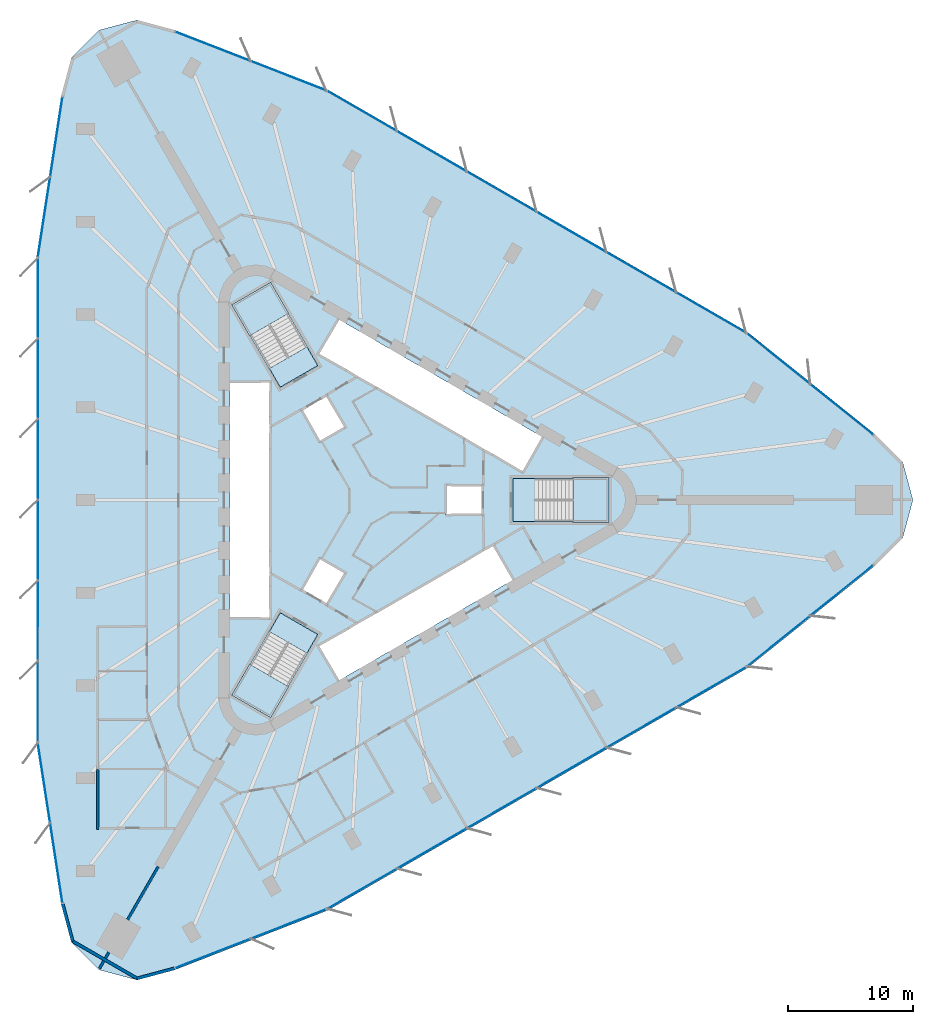
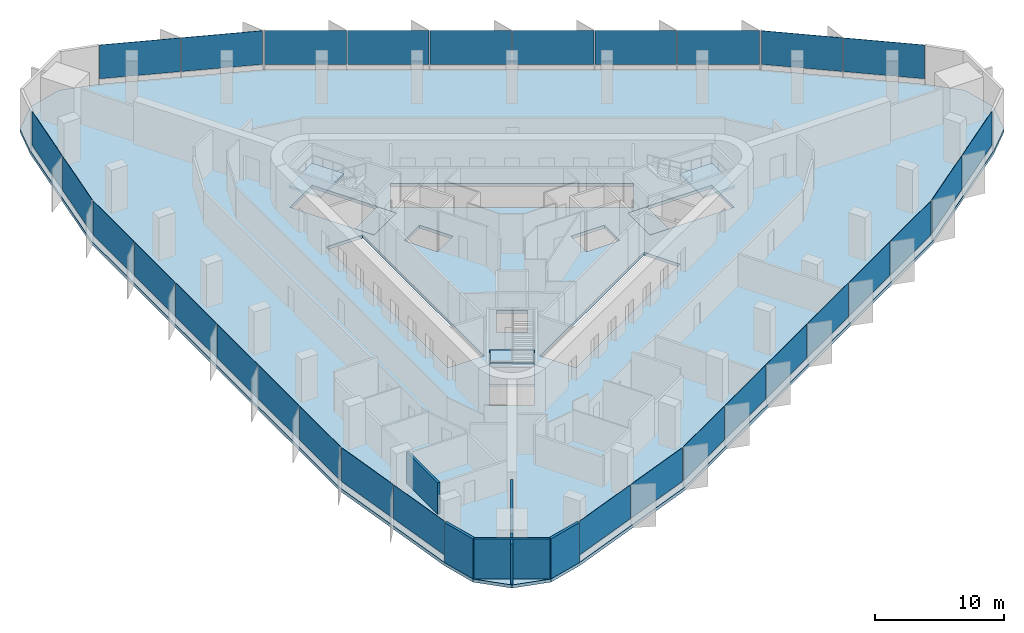
# One storey, part 8 of 15: 30 plates, 7 slabs, 7 walls, 12 elements without a shape of their own.
"""IFC4 building model written with IfcOpenShell, lengths in metres."""

from ifc_helpers import new_model, si_unit, direction, frame, frame_2d, origin, origin_2d, place, context, subcontext, project, spatial, polyline, rectangle, outline, extrude, material, layer, layer_set, type_object, element, aggregate, save


model = new_model("IFC4")

# Units and contexts
model_context = context("Model", 3, precision=1e-05, world=origin(), true_north=direction((0.0, 1.0)))
body_context = subcontext(model_context, "Body", "Model", "MODEL_VIEW")
ifc_project = project(units=[si_unit("LENGTHUNIT", "METRE"), si_unit("AREAUNIT", "SQUARE_METRE"), si_unit("VOLUMEUNIT", "CUBIC_METRE"), si_unit("PLANEANGLEUNIT", "RADIAN"), si_unit("MASSUNIT", "GRAM", prefix="KILO")], contexts=[model_context])

# Site, building, storey
site_placement = place(None, origin())
site = spatial("IfcSite", under=ifc_project, at=site_placement, CompositionType="ELEMENT")
building_placement = place(site_placement, origin())
building = spatial("IfcBuilding", under=site, at=building_placement, Name="Tanit Gate Tower", CompositionType="ELEMENT")
storey_placement = place(building_placement, frame((0.0, 0.0, 135.699951171875)))
storey = spatial("IfcBuildingStorey", under=building, at=storey_placement, Name="L29", CompositionType="ELEMENT", Elevation=135.699951171875)

# Slab
ifc_material_1 = material(Name="Concrete C35/45", Category="concrete")
ifc_layer_1 = layer(ifc_material_1, 0.300048828125)
ifc_layer_set_1 = layer_set([ifc_layer_1], Name="FLOOR SLAB 300 C35/45")
slab_type_1 = type_object("IfcSlabType", Name="FLOOR SLAB 300 C35/45", PredefinedType="FLOOR", material=ifc_layer_set_1)
slab_1_placement = place(storey_placement, frame((0.0, 0.0, -0.300048828125)))
element("IfcSlab", 1, at=slab_1_placement, inside=storey, type_object=slab_type_1, Name="FLOOR SLAB L29", PredefinedType="FLOOR", context=body_context, shape_type="SweptSolid", body=[
    extrude(outline(polyline([(40.200439453125, 5.24365234375), (42.41650390625, 3.02734375), (43.227783203125, 0.0), (42.41650390625, -3.02734375), (40.200439453125, -5.24365234375), (30.038818359375, -13.397216796875), (-3.418212890625, -32.710693359375), (-15.55908203125, -37.436279296875), (-18.58642578125, -38.24755859375), (-21.614013671875, -37.436279296875), (-23.830078125, -35.22021484375), (-24.641357421875, -32.192626953125), (-26.62158203125, -19.315673828125), (-26.619140625, 19.315673828125), (-24.641357421875, 32.192626953125), (-23.830078125, 35.22021484375), (-21.614013671875, 37.436279296875), (-18.58642578125, 38.24755859375), (-15.55908203125, 37.436279296875), (-3.4169921875, 32.712890625), (30.037353515625, 13.39501953125), (40.200439453125, 5.24365234375)]), holes=[polyline([(11.3701171875, 1.72998046875), (18.929931640625, 1.72998046875), (18.929931640625, -1.72998046875), (11.3701171875, -1.72998046875), (11.3701171875, 1.72998046875)]), polyline([(-4.208984375, 11.60986328125), (-2.583984375, 14.424560546875), (13.783935546875, 4.974609375), (12.158935546875, 2.159912109375), (-4.208984375, 11.60986328125)]), polyline([(-4.208984375, -11.60986328125), (9.82080078125, -3.510009765625), (11.44580078125, -6.324462890625), (-2.583984375, -14.424560546875), (-4.208984375, -11.60986328125)]), polyline([(9.0, 1.199951171875), (9.0, -1.199951171875), (6.0, -1.199951171875), (6.0, 1.199951171875), (9.0, 1.199951171875)]), polyline([(-5.539306640625, 7.194091796875), (-3.460693359375, 8.394287109375), (-1.960693359375, 5.796142578125), (-4.039306640625, 4.59619140625), (-5.539306640625, 7.194091796875)]), polyline([(-1.960693359375, -5.796142578125), (-3.460693359375, -8.394287109375), (-5.539306640625, -7.194091796875), (-4.039306640625, -4.59619140625), (-1.960693359375, -5.796142578125)]), polyline([(-10.963134765625, 15.52880859375), (-7.966796875, 17.2587890625), (-4.186767578125, 10.711669921875), (-7.18310546875, 8.981689453125), (-10.963134765625, 15.52880859375)]), polyline([(-4.186767578125, -10.711669921875), (-7.966796875, -17.2587890625), (-10.963134765625, -15.52880859375), (-7.18310546875, -8.981689453125), (-4.186767578125, -10.711669921875)]), polyline([(-11.199951171875, -9.449951171875), (-11.199951171875, 9.449951171875), (-7.949951171875, 9.449951171875), (-7.949951171875, -9.449951171875), (-11.199951171875, -9.449951171875)])]), origin(), (0.0, 0.0, 1.0), 0.300048828125),
])

# Curtain wall, plates
ifc_material_2 = material(Name="Aluminium bronze anodised and glass", Category="aluminium")
curtain_wall_type = type_object("IfcCurtainWallType", Name="Curtain wall typical low", PredefinedType="NOTDEFINED", material=ifc_material_2)
curtain_wall_1_placement = place(storey_placement, origin())
curtain_wall_1 = element("IfcCurtainWall", 2, at=curtain_wall_1_placement, inside=storey, type_object=curtain_wall_type, Name="Curtain wall L29 NE1", PredefinedType="NOTDEFINED")
ifc_material_3 = material(Name="Glass tinted", Category="glass")
ifc_layer_2 = layer(ifc_material_3, 0.031982421875)
ifc_layer_set_2 = layer_set([ifc_layer_2], Name="Glass panel 32 typical low")
plate_type = type_object("IfcPlateType", Name="Glass panel 32 typical low", PredefinedType="CURTAIN_PANEL", material=ifc_layer_set_2)
plate_1_placement = place(storey_placement, frame((37.56689453125, 7.201904296875, 0.60009765625), z_axis=(0.0, 0.0, 1.0), x_axis=(-0.780084936734, 0.625673630163, 0.0)))
plate_1 = element("IfcPlate", 3, at=plate_1_placement, type_object=plate_type, Name="Glass panel L29 NE1.1", PredefinedType="CURTAIN_PANEL", context=body_context, shape_type="SweptSolid", body=[
    extrude(rectangle(XDim=6.38623046875, YDim=0.031982421875, at=origin_2d()), origin(), (0.0, 0.0, 1.0), 3.199951171875),
])
plate_2_placement = place(storey_placement, frame((32.522705078125, 11.247802734375, 0.60009765625), z_axis=(0.0, 0.0, 1.0), x_axis=(-0.780084936734, 0.625673630163, 0.0)))
plate_2 = element("IfcPlate", 4, at=plate_2_placement, type_object=plate_type, Name="Glass panel L29 NE1.2", PredefinedType="CURTAIN_PANEL", context=body_context, shape_type="SweptSolid", body=[
    extrude(rectangle(XDim=6.38623046875, YDim=0.031982421875, at=origin_2d()), origin(), (0.0, 0.0, 1.0), 3.199951171875),
])
aggregate(curtain_wall_1, [plate_1, plate_2])

curtain_wall_2_placement = place(storey_placement, origin())
curtain_wall_2 = element("IfcCurtainWall", 5, at=curtain_wall_2_placement, inside=storey, type_object=curtain_wall_type, Name="Curtain wall L29 NE2", PredefinedType="NOTDEFINED")
plate_3_placement = place(storey_placement, frame((27.154052734375, 14.92138671875, 0.60009765625), z_axis=(0.0, 0.0, 1.0), x_axis=(-0.865990732317, 0.500060047936, 0.0)))
plate_3 = element("IfcPlate", 6, at=plate_3_placement, type_object=plate_type, Name="Glass panel L29 NE2.1", PredefinedType="CURTAIN_PANEL", context=body_context, shape_type="SweptSolid", body=[
    extrude(rectangle(XDim=6.34228515625, YDim=0.031982421875, at=origin_2d()), origin(), (0.0, 0.0, 1.0), 3.199951171875),
])
plate_4_placement = place(storey_placement, frame((21.592529296875, 18.1328125, 0.60009765625), z_axis=(0.0, 0.0, 1.0), x_axis=(-0.865990732317, 0.500060047936, 0.0)))
plate_4 = element("IfcPlate", 7, at=plate_4_placement, type_object=plate_type, Name="Glass panel L29 NE2.2", PredefinedType="CURTAIN_PANEL", context=body_context, shape_type="SweptSolid", body=[
    extrude(rectangle(XDim=6.342041015625, YDim=0.031982421875, at=origin_2d()), origin(), (0.0, 0.0, 1.0), 3.199951171875),
])
plate_5_placement = place(storey_placement, frame((16.031005859375, 21.34423828125, 0.60009765625), z_axis=(0.0, 0.0, 1.0), x_axis=(-0.865990732317, 0.500060047936, 0.0)))
plate_5 = element("IfcPlate", 8, at=plate_5_placement, type_object=plate_type, Name="Glass panel L29 NE2.3", PredefinedType="CURTAIN_PANEL", context=body_context, shape_type="SweptSolid", body=[
    extrude(rectangle(XDim=6.34228515625, YDim=0.031982421875, at=origin_2d()), origin(), (0.0, 0.0, 1.0), 3.199951171875),
])
plate_6_placement = place(storey_placement, frame((10.469482421875, 24.5556640625, 0.60009765625), z_axis=(0.0, 0.0, 1.0), x_axis=(-0.865990732317, 0.500060047936, 0.0)))
plate_6 = element("IfcPlate", 9, at=plate_6_placement, type_object=plate_type, Name="Glass panel L29 NE2.4", PredefinedType="CURTAIN_PANEL", context=body_context, shape_type="SweptSolid", body=[
    extrude(rectangle(XDim=6.342041015625, YDim=0.031982421875, at=origin_2d()), origin(), (0.0, 0.0, 1.0), 3.199951171875),
])
plate_7_placement = place(storey_placement, frame((4.907958984375, 27.76708984375, 0.60009765625), z_axis=(0.0, 0.0, 1.0), x_axis=(-0.865990732317, 0.500060047936, 0.0)))
plate_7 = element("IfcPlate", 10, at=plate_7_placement, type_object=plate_type, Name="Glass panel L29 NE2.5", PredefinedType="CURTAIN_PANEL", context=body_context, shape_type="SweptSolid", body=[
    extrude(rectangle(XDim=6.34228515625, YDim=0.031982421875, at=origin_2d()), origin(), (0.0, 0.0, 1.0), 3.199951171875),
])
plate_8_placement = place(storey_placement, frame((-0.653564453125, 30.978759765625, 0.60009765625), z_axis=(0.0, 0.0, 1.0), x_axis=(-0.865990732317, 0.500060047936, 0.0)))
plate_8 = element("IfcPlate", 11, at=plate_8_placement, type_object=plate_type, Name="Glass panel L29 NE2.6", PredefinedType="CURTAIN_PANEL", context=body_context, shape_type="SweptSolid", body=[
    extrude(rectangle(XDim=6.34228515625, YDim=0.031982421875, at=origin_2d()), origin(), (0.0, 0.0, 1.0), 3.199951171875),
])
aggregate(curtain_wall_2, [plate_3, plate_4, plate_5, plate_6, plate_7, plate_8])

curtain_wall_3_placement = place(storey_placement, origin())
curtain_wall_3 = element("IfcCurtainWall", 12, at=curtain_wall_3_placement, inside=storey, type_object=curtain_wall_type, Name="Curtain wall L29 NE3", PredefinedType="NOTDEFINED")
plate_9_placement = place(storey_placement, frame((-6.51953125, 33.791015625, 0.60009765625), z_axis=(0.0, 0.0, 1.0), x_axis=(-0.931965421252, 0.362547174298, 0.0)))
plate_9 = element("IfcPlate", 13, at=plate_9_placement, type_object=plate_type, Name="Glass panel L29 NE3.1", PredefinedType="CURTAIN_PANEL", context=body_context, shape_type="SweptSolid", body=[
    extrude(rectangle(XDim=6.386474609375, YDim=0.031982421875, at=origin_2d()), origin(), (0.0, 0.0, 1.0), 3.199951171875),
])
plate_10_placement = place(storey_placement, frame((-12.5458984375, 36.135498046875, 0.60009765625), z_axis=(0.0, 0.0, 1.0), x_axis=(-0.931965421252, 0.362547174298, 0.0)))
plate_10 = element("IfcPlate", 14, at=plate_10_placement, type_object=plate_type, Name="Glass panel L29 NE3.2", PredefinedType="CURTAIN_PANEL", context=body_context, shape_type="SweptSolid", body=[
    extrude(rectangle(XDim=6.386474609375, YDim=0.031982421875, at=origin_2d()), origin(), (0.0, 0.0, 1.0), 3.199951171875),
])
aggregate(curtain_wall_3, [plate_9, plate_10])

curtain_wall_4_placement = place(storey_placement, origin())
curtain_wall_4 = element("IfcCurtainWall", 15, at=curtain_wall_4_placement, inside=storey, type_object=curtain_wall_type, Name="Curtain wall L29 W1", PredefinedType="NOTDEFINED")
plate_11_placement = place(storey_placement, frame((-25.0205078125, 28.932861328125, 0.60009765625), z_axis=(0.0, 0.0, 1.0), x_axis=(-0.151806789832, -0.988410187402, 0.0)))
plate_11 = element("IfcPlate", 16, at=plate_11_placement, type_object=plate_type, Name="Glass panel L29 W1.1", PredefinedType="CURTAIN_PANEL", context=body_context, shape_type="SweptSolid", body=[
    extrude(rectangle(XDim=6.38623046875, YDim=0.031982421875, at=origin_2d()), origin(), (0.0, 0.0, 1.0), 3.199951171875),
])
plate_12_placement = place(storey_placement, frame((-26.002197265625, 22.54150390625, 0.60009765625), z_axis=(0.0, 0.0, 1.0), x_axis=(-0.151806789832, -0.988410187402, 0.0)))
plate_12 = element("IfcPlate", 17, at=plate_12_placement, type_object=plate_type, Name="Glass panel L29 W1.2", PredefinedType="CURTAIN_PANEL", context=body_context, shape_type="SweptSolid", body=[
    extrude(rectangle(XDim=6.38623046875, YDim=0.031982421875, at=origin_2d()), origin(), (0.0, 0.0, 1.0), 3.199951171875),
])
aggregate(curtain_wall_4, [plate_11, plate_12])

curtain_wall_5_placement = place(storey_placement, origin())
curtain_wall_5 = element("IfcCurtainWall", 18, at=curtain_wall_5_placement, inside=storey, type_object=curtain_wall_type, Name="Curtain wall L29 W2", PredefinedType="NOTDEFINED")
plate_13_placement = place(storey_placement, frame((-26.499267578125, 16.055419921875, 0.60009765625), z_axis=(0.0, 0.0, 1.0), x_axis=(-6.9338772e-05, -0.999999997596, 0.0)))
plate_13 = element("IfcPlate", 19, at=plate_13_placement, type_object=plate_type, Name="Glass panel L29 W2.1", PredefinedType="CURTAIN_PANEL", context=body_context, shape_type="SweptSolid", body=[
    extrude(rectangle(XDim=6.34228515625, YDim=0.031982421875, at=origin_2d()), origin(), (0.0, 0.0, 1.0), 3.199951171875),
])
plate_14_placement = place(storey_placement, frame((-26.499755859375, 9.63330078125, 0.60009765625), z_axis=(0.0, 0.0, 1.0), x_axis=(-6.9338772e-05, -0.999999997596, 0.0)))
plate_14 = element("IfcPlate", 20, at=plate_14_placement, type_object=plate_type, Name="Glass panel L29 W2.2", PredefinedType="CURTAIN_PANEL", context=body_context, shape_type="SweptSolid", body=[
    extrude(rectangle(XDim=6.342041015625, YDim=0.031982421875, at=origin_2d()), origin(), (0.0, 0.0, 1.0), 3.199951171875),
])
plate_15_placement = place(storey_placement, frame((-26.500244140625, 3.211181640625, 0.60009765625), z_axis=(0.0, 0.0, 1.0), x_axis=(-6.9338772e-05, -0.999999997596, 0.0)))
plate_15 = element("IfcPlate", 21, at=plate_15_placement, type_object=plate_type, Name="Glass panel L29 W2.3", PredefinedType="CURTAIN_PANEL", context=body_context, shape_type="SweptSolid", body=[
    extrude(rectangle(XDim=6.34228515625, YDim=0.031982421875, at=origin_2d()), origin(), (0.0, 0.0, 1.0), 3.199951171875),
])
plate_16_placement = place(storey_placement, frame((-26.500732421875, -3.211181640625, 0.60009765625), z_axis=(0.0, 0.0, 1.0), x_axis=(-6.9338772e-05, -0.999999997596, 0.0)))
plate_16 = element("IfcPlate", 22, at=plate_16_placement, type_object=plate_type, Name="Glass panel L29 W2.4", PredefinedType="CURTAIN_PANEL", context=body_context, shape_type="SweptSolid", body=[
    extrude(rectangle(XDim=6.342041015625, YDim=0.031982421875, at=origin_2d()), origin(), (0.0, 0.0, 1.0), 3.199951171875),
])
plate_17_placement = place(storey_placement, frame((-26.5009765625, -9.63330078125, 0.60009765625), z_axis=(0.0, 0.0, 1.0), x_axis=(-6.9338772e-05, -0.999999997596, 0.0)))
plate_17 = element("IfcPlate", 23, at=plate_17_placement, type_object=plate_type, Name="Glass panel L29 W2.5", PredefinedType="CURTAIN_PANEL", context=body_context, shape_type="SweptSolid", body=[
    extrude(rectangle(XDim=6.34228515625, YDim=0.031982421875, at=origin_2d()), origin(), (0.0, 0.0, 1.0), 3.199951171875),
])
plate_18_placement = place(storey_placement, frame((-26.50146484375, -16.055419921875, 0.60009765625), z_axis=(0.0, 0.0, 1.0), x_axis=(-6.9338772e-05, -0.999999997596, 0.0)))
plate_18 = element("IfcPlate", 24, at=plate_18_placement, type_object=plate_type, Name="Glass panel L29 W2.6", PredefinedType="CURTAIN_PANEL", context=body_context, shape_type="SweptSolid", body=[
    extrude(rectangle(XDim=6.34228515625, YDim=0.031982421875, at=origin_2d()), origin(), (0.0, 0.0, 1.0), 3.199951171875),
])
aggregate(curtain_wall_5, [plate_13, plate_14, plate_15, plate_16, plate_17, plate_18])

curtain_wall_6_placement = place(storey_placement, origin())
curtain_wall_6 = element("IfcCurtainWall", 25, at=curtain_wall_6_placement, inside=storey, type_object=curtain_wall_type, Name="Curtain wall L29 W3", PredefinedType="NOTDEFINED")
plate_19_placement = place(storey_placement, frame((-26.004150390625, -22.541748046875, 0.60009765625), z_axis=(0.0, 0.0, 1.0), x_axis=(0.152007647614, -0.988379317401, 0.0)))
plate_19 = element("IfcPlate", 26, at=plate_19_placement, type_object=plate_type, Name="Glass panel L29 W3.1", PredefinedType="CURTAIN_PANEL", context=body_context, shape_type="SweptSolid", body=[
    extrude(rectangle(XDim=6.386474609375, YDim=0.031982421875, at=origin_2d()), origin(), (0.0, 0.0, 1.0), 3.199951171875),
])
plate_20_placement = place(storey_placement, frame((-25.021240234375, -28.932861328125, 0.60009765625), z_axis=(0.0, 0.0, 1.0), x_axis=(0.152007647614, -0.988379317401, 0.0)))
plate_20 = element("IfcPlate", 27, at=plate_20_placement, type_object=plate_type, Name="Glass panel L29 W3.2", PredefinedType="CURTAIN_PANEL", context=body_context, shape_type="SweptSolid", body=[
    extrude(rectangle(XDim=6.386474609375, YDim=0.031982421875, at=origin_2d()), origin(), (0.0, 0.0, 1.0), 3.199951171875),
])
aggregate(curtain_wall_6, [plate_19, plate_20])

curtain_wall_7_placement = place(storey_placement, origin())
curtain_wall_7 = element("IfcCurtainWall", 28, at=curtain_wall_7_placement, inside=storey, type_object=curtain_wall_type, Name="Curtain wall L29 SE1", PredefinedType="NOTDEFINED")
plate_21_placement = place(storey_placement, frame((-12.54638671875, -36.135009765625, 0.60009765625), z_axis=(0.0, 0.0, 1.0), x_axis=(0.931891726566, 0.36273655724, 0.0)))
plate_21 = element("IfcPlate", 29, at=plate_21_placement, type_object=plate_type, Name="Glass panel L29 SE1.1", PredefinedType="CURTAIN_PANEL", context=body_context, shape_type="SweptSolid", body=[
    extrude(rectangle(XDim=6.38623046875, YDim=0.031982421875, at=origin_2d()), origin(), (0.0, 0.0, 1.0), 3.199951171875),
])
plate_22_placement = place(storey_placement, frame((-6.5205078125, -33.789306640625, 0.60009765625), z_axis=(0.0, 0.0, 1.0), x_axis=(0.931891726566, 0.36273655724, 0.0)))
plate_22 = element("IfcPlate", 30, at=plate_22_placement, type_object=plate_type, Name="Glass panel L29 SE1.2", PredefinedType="CURTAIN_PANEL", context=body_context, shape_type="SweptSolid", body=[
    extrude(rectangle(XDim=6.38623046875, YDim=0.031982421875, at=origin_2d()), origin(), (0.0, 0.0, 1.0), 3.199951171875),
])
aggregate(curtain_wall_7, [plate_21, plate_22])

curtain_wall_8_placement = place(storey_placement, origin())
curtain_wall_8 = element("IfcCurtainWall", 31, at=curtain_wall_8_placement, inside=storey, type_object=curtain_wall_type, Name="Curtain wall L29 SE2", PredefinedType="NOTDEFINED")
plate_23_placement = place(storey_placement, frame((-0.65478515625, -30.976806640625, 0.60009765625), z_axis=(0.0, 0.0, 1.0), x_axis=(0.866060071089, 0.49993994966, 0.0)))
plate_23 = element("IfcPlate", 32, at=plate_23_placement, type_object=plate_type, Name="Glass panel L29 SE2.1", PredefinedType="CURTAIN_PANEL", context=body_context, shape_type="SweptSolid", body=[
    extrude(rectangle(XDim=6.34228515625, YDim=0.031982421875, at=origin_2d()), origin(), (0.0, 0.0, 1.0), 3.199951171875),
])
plate_24_placement = place(storey_placement, frame((4.9072265625, -27.76611328125, 0.60009765625), z_axis=(0.0, 0.0, 1.0), x_axis=(0.866060071089, 0.49993994966, 0.0)))
plate_24 = element("IfcPlate", 33, at=plate_24_placement, type_object=plate_type, Name="Glass panel L29 SE2.2", PredefinedType="CURTAIN_PANEL", context=body_context, shape_type="SweptSolid", body=[
    extrude(rectangle(XDim=6.342041015625, YDim=0.031982421875, at=origin_2d()), origin(), (0.0, 0.0, 1.0), 3.199951171875),
])
plate_25_placement = place(storey_placement, frame((10.46923828125, -24.555419921875, 0.60009765625), z_axis=(0.0, 0.0, 1.0), x_axis=(0.866060071089, 0.49993994966, 0.0)))
plate_25 = element("IfcPlate", 34, at=plate_25_placement, type_object=plate_type, Name="Glass panel L29 SE2.3", PredefinedType="CURTAIN_PANEL", context=body_context, shape_type="SweptSolid", body=[
    extrude(rectangle(XDim=6.34228515625, YDim=0.031982421875, at=origin_2d()), origin(), (0.0, 0.0, 1.0), 3.199951171875),
])
plate_26_placement = place(storey_placement, frame((16.03125, -21.3447265625, 0.60009765625), z_axis=(0.0, 0.0, 1.0), x_axis=(0.866060071089, 0.49993994966, 0.0)))
plate_26 = element("IfcPlate", 35, at=plate_26_placement, type_object=plate_type, Name="Glass panel L29 SE2.4", PredefinedType="CURTAIN_PANEL", context=body_context, shape_type="SweptSolid", body=[
    extrude(rectangle(XDim=6.342041015625, YDim=0.031982421875, at=origin_2d()), origin(), (0.0, 0.0, 1.0), 3.199951171875),
])
plate_27_placement = place(storey_placement, frame((21.59326171875, -18.134033203125, 0.60009765625), z_axis=(0.0, 0.0, 1.0), x_axis=(0.866060071089, 0.49993994966, 0.0)))
plate_27 = element("IfcPlate", 36, at=plate_27_placement, type_object=plate_type, Name="Glass panel L29 SE2.5", PredefinedType="CURTAIN_PANEL", context=body_context, shape_type="SweptSolid", body=[
    extrude(rectangle(XDim=6.34228515625, YDim=0.031982421875, at=origin_2d()), origin(), (0.0, 0.0, 1.0), 3.199951171875),
])
plate_28_placement = place(storey_placement, frame((27.1552734375, -14.92333984375, 0.60009765625), z_axis=(0.0, 0.0, 1.0), x_axis=(0.866060071089, 0.49993994966, 0.0)))
plate_28 = element("IfcPlate", 37, at=plate_28_placement, type_object=plate_type, Name="Glass panel L29 SE2.6", PredefinedType="CURTAIN_PANEL", context=body_context, shape_type="SweptSolid", body=[
    extrude(rectangle(XDim=6.34228515625, YDim=0.031982421875, at=origin_2d()), origin(), (0.0, 0.0, 1.0), 3.199951171875),
])
aggregate(curtain_wall_8, [plate_23, plate_24, plate_25, plate_26, plate_27, plate_28])

curtain_wall_9_placement = place(storey_placement, origin())
curtain_wall_9 = element("IfcCurtainWall", 38, at=curtain_wall_9_placement, inside=storey, type_object=curtain_wall_type, Name="Curtain wall L29 SE3", PredefinedType="NOTDEFINED")
plate_29_placement = place(storey_placement, frame((32.523681640625, -11.24951171875, 0.60009765625), z_axis=(0.0, 0.0, 1.0), x_axis=(0.779957773638, 0.625832143104, 0.0)))
plate_29 = element("IfcPlate", 39, at=plate_29_placement, type_object=plate_type, Name="Glass panel L29 SE3.1", PredefinedType="CURTAIN_PANEL", context=body_context, shape_type="SweptSolid", body=[
    extrude(rectangle(XDim=6.386474609375, YDim=0.031982421875, at=origin_2d()), origin(), (0.0, 0.0, 1.0), 3.199951171875),
])
plate_30_placement = place(storey_placement, frame((37.567138671875, -7.20263671875, 0.60009765625), z_axis=(0.0, 0.0, 1.0), x_axis=(0.779957773638, 0.625832143104, 0.0)))
plate_30 = element("IfcPlate", 40, at=plate_30_placement, type_object=plate_type, Name="Glass panel L29 SE3.2", PredefinedType="CURTAIN_PANEL", context=body_context, shape_type="SweptSolid", body=[
    extrude(rectangle(XDim=6.386474609375, YDim=0.031982421875, at=origin_2d()), origin(), (0.0, 0.0, 1.0), 3.199951171875),
])
aggregate(curtain_wall_9, [plate_29, plate_30])

# Stair, slab
ifc_material_4 = material(Name="Concrete C40/50", Category="concrete")
stair_type = type_object("IfcStairType", Name="INT-STAIR-EXIT", PredefinedType="HALF_TURN_STAIR", material=ifc_material_4)
stair_1_placement = place(storey_placement, origin())
stair_1 = element("IfcStair", 41, at=stair_1_placement, inside=storey, type_object=stair_type, Name="L29 STAIR S1", PredefinedType="HALF_TURN_STAIR")
ifc_material_5 = material(Name="Concrete C40/50", Category="concrete")
ifc_layer_3 = layer(ifc_material_5, 0.199951171875)
ifc_layer_set_3 = layer_set([ifc_layer_3], Name="INT-STAIR-LANDING")
slab_type_2 = type_object("IfcSlabType", Name="INT-STAIR-LANDING", PredefinedType="LANDING", material=ifc_layer_set_3)
slab_2_placement = place(storey_placement, frame((0.0, 0.0, 1.85009765625)))
slab_2 = element("IfcSlab", 42, at=slab_2_placement, type_object=slab_type_2, Name="S1 landing 1", PredefinedType="LANDING", context=body_context, shape_type="SweptSolid", body=[
    extrude(outline(polyline([(16.135986328125, -1.800048828125), (19.0, -1.800048828125), (19.0, 1.800048828125), (16.135986328125, 1.800048828125), (16.135986328125, -1.800048828125)])), origin(), (0.0, 0.0, 1.0), 0.199951171875),
])
aggregate(stair_1, [slab_2])

# Slab
slab_3_placement = place(storey_placement, frame((0.0, 0.0, -0.199951171875)))
element("IfcSlab", 43, at=slab_3_placement, inside=storey, type_object=slab_type_2, Name="S1 floor landing", PredefinedType="LANDING", context=body_context, shape_type="SweptSolid", body=[
    extrude(outline(polyline([(11.3798828125, -1.719970703125), (13.10498046875, -1.719970703125), (13.10498046875, 1.719970703125), (11.3798828125, 1.719970703125), (11.3798828125, -1.719970703125)])), origin(), (0.0, 0.0, 1.0), 0.199951171875),
])

# Stair, slab
stair_2_placement = place(storey_placement, origin())
stair_2 = element("IfcStair", 44, at=stair_2_placement, inside=storey, type_object=stair_type, Name="L29 STAIR S2", PredefinedType="HALF_TURN_STAIR")
slab_4_placement = place(storey_placement, frame((0.0, 0.0, 1.85009765625)))
slab_4 = element("IfcSlab", 45, at=slab_4_placement, type_object=slab_type_2, Name="S2 landing 1", PredefinedType="LANDING", context=body_context, shape_type="SweptSolid", body=[
    extrude(outline(polyline([(-6.5078125, 14.871826171875), (-7.941162109375, 17.3544921875), (-11.058837890625, 15.554443359375), (-9.62548828125, 13.07177734375), (-6.5078125, 14.871826171875)])), origin(), (0.0, 0.0, 1.0), 0.199951171875),
])
aggregate(stair_2, [slab_4])

# Slab
slab_5_placement = place(storey_placement, frame((0.0, 0.0, -0.199951171875)))
element("IfcSlab", 46, at=slab_5_placement, inside=storey, type_object=slab_type_2, Name="S2 floor landing", PredefinedType="LANDING", context=body_context, shape_type="SweptSolid", body=[
    extrude(outline(polyline([(-4.200439453125, 10.71533203125), (-5.0625, 12.20849609375), (-8.04150390625, 10.48828125), (-7.179443359375, 8.995361328125), (-4.200439453125, 10.71533203125)])), origin(), (0.0, 0.0, 1.0), 0.199951171875),
])

# Stair, slab
stair_3_placement = place(storey_placement, origin())
stair_3 = element("IfcStair", 47, at=stair_3_placement, inside=storey, type_object=stair_type, Name="L29 STAIR S3", PredefinedType="HALF_TURN_STAIR")
slab_6_placement = place(storey_placement, frame((0.0, 0.0, 1.85009765625)))
slab_6 = element("IfcSlab", 48, at=slab_6_placement, type_object=slab_type_2, Name="S3 landing 1", PredefinedType="LANDING", context=body_context, shape_type="SweptSolid", body=[
    extrude(outline(polyline([(-9.626953125, -13.07421875), (-11.058837890625, -15.554443359375), (-7.941162109375, -17.3544921875), (-6.509033203125, -14.874267578125), (-9.626953125, -13.07421875)])), origin(), (0.0, 0.0, 1.0), 0.199951171875),
])
aggregate(stair_3, [slab_6])

# Slab
slab_7_placement = place(storey_placement, frame((0.0, 0.0, -0.199951171875)))
element("IfcSlab", 49, at=slab_7_placement, inside=storey, type_object=slab_type_2, Name="S3 floor landing", PredefinedType="LANDING", context=body_context, shape_type="SweptSolid", body=[
    extrude(outline(polyline([(-7.179443359375, -8.995361328125), (-8.0419921875, -10.4892578125), (-5.06298828125, -12.209228515625), (-4.200439453125, -10.71533203125), (-7.179443359375, -8.995361328125)])), origin(), (0.0, 0.0, 1.0), 0.199951171875),
])

# Walls
ifc_material_6 = material(Name="Concrete C30/37 with bronze anodised aluminium cladding", Category="concrete")
ifc_layer_4 = layer(ifc_material_6, 0.239990234375)
ifc_layer_set_4 = layer_set([ifc_layer_4], Name="Facade wall bronze clad 240")
wall_type_1 = type_object("IfcWallType", Name="Facade wall bronze clad 240", PredefinedType="SOLIDWALL", material=ifc_layer_set_4)
wall_1_placement = place(storey_placement, frame((-24.523681640625, -32.16796875, 0.0), z_axis=(0.0, 0.0, 1.0), x_axis=(0.258850410475, -0.965917421417, 0.0)))
element("IfcWall", 50, at=wall_1_placement, inside=storey, type_object=wall_type_1, Name="Bronze-clad facade wall L29 SW.arc1", PredefinedType="SOLIDWALL", context=body_context, shape_type="SweptSolid", body=[
    extrude(rectangle(XDim=3.095458984375, YDim=0.239990234375, at=frame_2d((1.5478515625, 0.0))), origin(), (0.0, 0.0, 1.0), 3.800048828125),
])
wall_2_placement = place(storey_placement, frame((-23.722412109375, -35.157958984375, 0.0), z_axis=(0.0, 0.0, 1.0), x_axis=(0.866020370013, -0.500008718647, 0.0)))
element("IfcWall", 51, at=wall_2_placement, inside=storey, type_object=wall_type_1, Name="Bronze-clad facade wall L29 SW.arc2", PredefinedType="SOLIDWALL", context=body_context, shape_type="SweptSolid", body=[
    extrude(rectangle(XDim=5.9306640625, YDim=0.239990234375, at=frame_2d((2.96533203125, 0.0))), origin(), (0.0, 0.0, 1.0), 3.800048828125),
])
wall_3_placement = place(storey_placement, frame((-18.58642578125, -38.123291015625, 0.0), z_axis=(0.0, 0.0, 1.0), x_axis=(0.965937138664, 0.258776823055, 0.0)))
element("IfcWall", 52, at=wall_3_placement, inside=storey, type_object=wall_type_1, Name="Bronze-clad facade wall L29 SW.arc3", PredefinedType="SOLIDWALL", context=body_context, shape_type="SweptSolid", body=[
    extrude(rectangle(XDim=3.095458984375, YDim=0.239990234375, at=frame_2d((1.5478515625, 0.0))), origin(), (0.0, 0.0, 1.0), 3.800048828125),
])
ifc_material_7 = material(Name="Fire-rated gypsum board partition")
ifc_layer_5 = layer(ifc_material_7, 0.199951171875)
ifc_layer_set_5 = layer_set([ifc_layer_5], Name="INT-WALL-COMPARTMENT")
wall_type_2 = type_object("IfcWallType", Name="INT-WALL-COMPARTMENT", PredefinedType="PARTITIONING", material=ifc_layer_set_5)
wall_4_placement = place(storey_placement, frame((-21.57373046875, -37.306884765625, 0.0), z_axis=(0.0, 0.0, 1.0), x_axis=(0.499880961361, 0.866094119867, 0.0)))
element("IfcWall", 53, at=wall_4_placement, inside=storey, type_object=wall_type_2, Name="Wall Compartment W117", PredefinedType="PARTITIONING", context=body_context, shape_type="SweptSolid", body=[
    extrude(rectangle(XDim=0.666748046875, YDim=0.199951171875, at=frame_2d((0.33349609375, 0.0))), origin(), (0.0, 0.0, 1.0), 3.800048828125),
])
wall_5_placement = place(storey_placement, frame((-21.12060546875, -36.521728515625, 0.0), z_axis=(0.0, 0.0, 1.0), x_axis=(0.500161656815, 0.86593205106, 0.0)))
element("IfcWall", 54, at=wall_5_placement, inside=storey, type_object=wall_type_2, Name="Wall Compartment W117x1", PredefinedType="PARTITIONING", context=body_context, shape_type="SweptSolid", body=[
    extrude(rectangle(XDim=0.561279296875, YDim=0.199951171875, at=frame_2d((0.28076171875, 0.0))), origin(), (0.0, 0.0, 1.0), 3.800048828125),
])
wall_6_placement = place(storey_placement, frame((-19.33984375, -33.437744140625, 0.0), z_axis=(0.0, 0.0, 1.0), x_axis=(0.500002508028, 0.866023955769, 0.0)))
element("IfcWall", 55, at=wall_6_placement, inside=storey, type_object=wall_type_2, Name="Wall Compartment W118", PredefinedType="PARTITIONING", context=body_context, shape_type="SweptSolid", body=[
    extrude(rectangle(XDim=4.8798828125, YDim=0.199951171875, at=frame_2d((2.43994140625, 0.0))), origin(), (0.0, 0.0, 1.0), 3.3701171875),
])
wall_7_placement = place(storey_placement, frame((-21.72998046875, -26.239990234375, 0.0), z_axis=(0.0, 0.0, 1.0), x_axis=(0.0, 1.0, 0.0)))
element("IfcWall", 56, at=wall_7_placement, inside=storey, type_object=wall_type_2, Name="Wall Compartment W124", PredefinedType="PARTITIONING", context=body_context, shape_type="SweptSolid", body=[
    extrude(rectangle(XDim=4.80859375, YDim=0.199951171875, at=frame_2d((2.404296875, 0.0))), origin(), (0.0, 0.0, 1.0), 2.97998046875),
])

save(model, "model.ifc")
